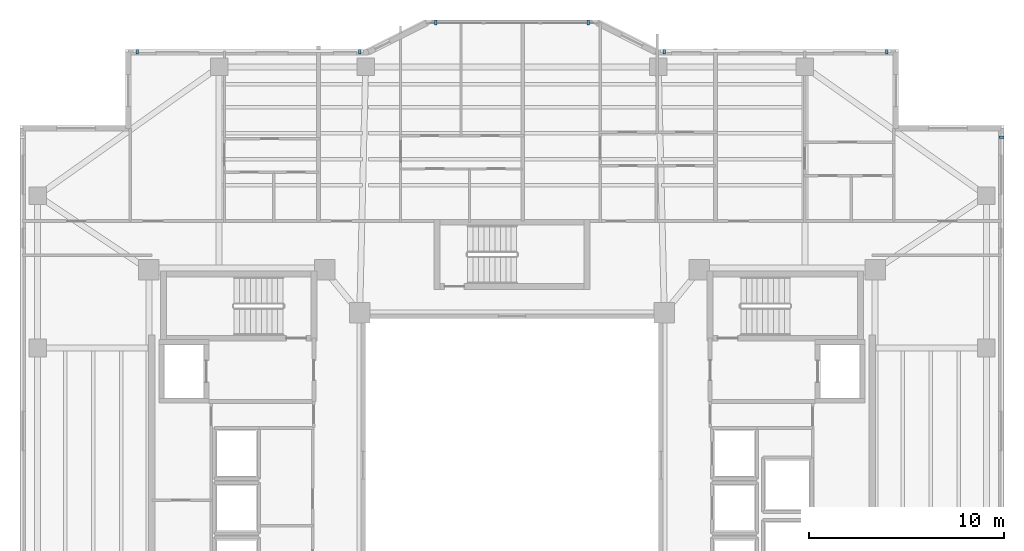
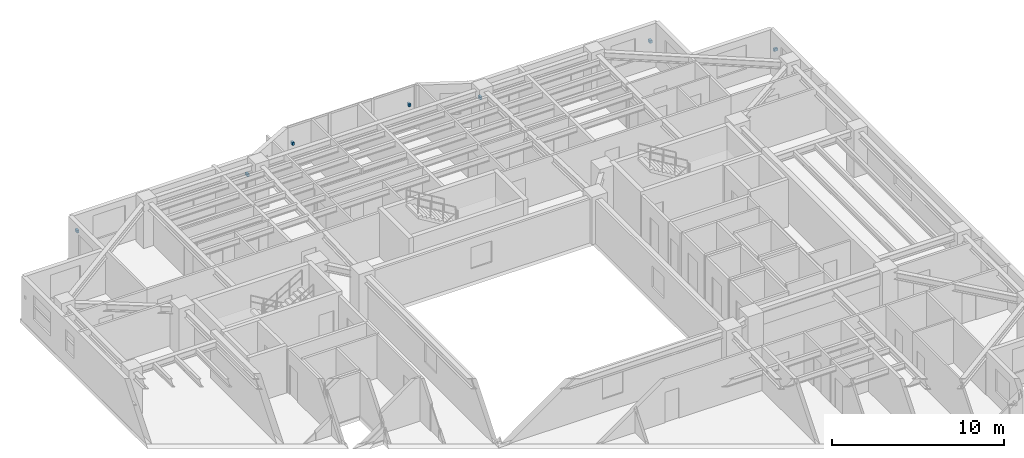
# One storey, part 13 of 16: 7 discrete accessories.
"""IFC4 building model written with IfcOpenShell, lengths in metres."""

from ifc_helpers import new_model, si_unit, direction, frame, origin, origin_2d, place, context, subcontext, project, spatial, rectangle, extrude, material, type_object, element, save


model = new_model("IFC4")

# Units and contexts
model_context = context("Model", 3, precision=1e-05, world=origin(), true_north=direction((0.0, 1.0)))
body_context = subcontext(model_context, "Body", "Model", "MODEL_VIEW")
ifc_project = project(units=[si_unit("LENGTHUNIT", "METRE"), si_unit("AREAUNIT", "SQUARE_METRE"), si_unit("VOLUMEUNIT", "CUBIC_METRE"), si_unit("PLANEANGLEUNIT", "RADIAN"), si_unit("MASSUNIT", "GRAM", prefix="KILO")], contexts=[model_context])

# Site, building, storey
site_placement = place(None, origin())
site = spatial("IfcSite", under=ifc_project, at=site_placement, CompositionType="ELEMENT")
building_placement = place(site_placement, origin())
building = spatial("IfcBuilding", under=site, at=building_placement, Name="Tarnavaz Court Tower", CompositionType="ELEMENT")
storey_placement = place(building_placement, frame((0.0, 0.0, 156.050048828125)))
storey = spatial("IfcBuildingStorey", under=building, at=storey_placement, Name="L42", CompositionType="ELEMENT", Elevation=156.050048828125)

# Discrete accessories
ifc_material = material(Name="Anodised Aluminium 6063-T6", Category="aluminium")
discrete_accessory_type = type_object("IfcDiscreteAccessoryType", Name="DA-BRKT-ALU", PredefinedType="BRACKET", material=ifc_material)
for number, where, z_axis, x_axis, name in (
    (1, (-19.199951171875, 21.169921875, 1.75), (0.0, 0.0, 1.0), (1.0, 0.0, 0.0), "L42 Baguette Outrigger Bracket FBG05-1"),
    (2, (-7.800048828125, 21.169921875, 1.75), (0.0, 0.0, 1.0), (1.0, 0.0, 0.0), "L42 Baguette Outrigger Bracket FBG05-2"),
    (3, (-3.89990234375, 22.669921875, 1.7001953125), (0.0, 0.0, 1.0), (1.0, 0.0, 0.0), "L42 Baguette Outrigger Bracket PBG7-1"),
    (4, (3.89990234375, 22.669921875, 1.7001953125), (0.0, 0.0, 1.0), (1.0, 0.0, 0.0), "L42 Baguette Outrigger Bracket PBG7-2"),
    (5, (7.800048828125, 21.169921875, 1.75), (0.0, 0.0, 1.0), (1.0, 0.0, 0.0), "L42 Baguette Outrigger Bracket FBG09-1"),
    (6, (19.199951171875, 21.169921875, 1.75), (0.0, 0.0, 1.0), (1.0, 0.0, 0.0), "L42 Baguette Outrigger Bracket FBG09-2"),
    (7, (25.070068359375, 16.800048828125, 1.75), (0.0, 0.0, 1.0), (0.0, -1.0, 0.0), "L42 Baguette Outrigger Bracket FBG12-1"),
):
    element("IfcDiscreteAccessory", number, at=place(storey_placement, frame(where, z_axis=z_axis, x_axis=x_axis)), inside=storey, type_object=discrete_accessory_type, Name=name, PredefinedType="BRACKET", context=body_context, shape_type="SweptSolid", body=[
        extrude(rectangle(XDim=0.139892578125, YDim=0.239990234375, at=origin_2d()), origin(), (0.0, 0.0, 1.0), 0.199951171875),
    ])

save(model, "model.ifc")
